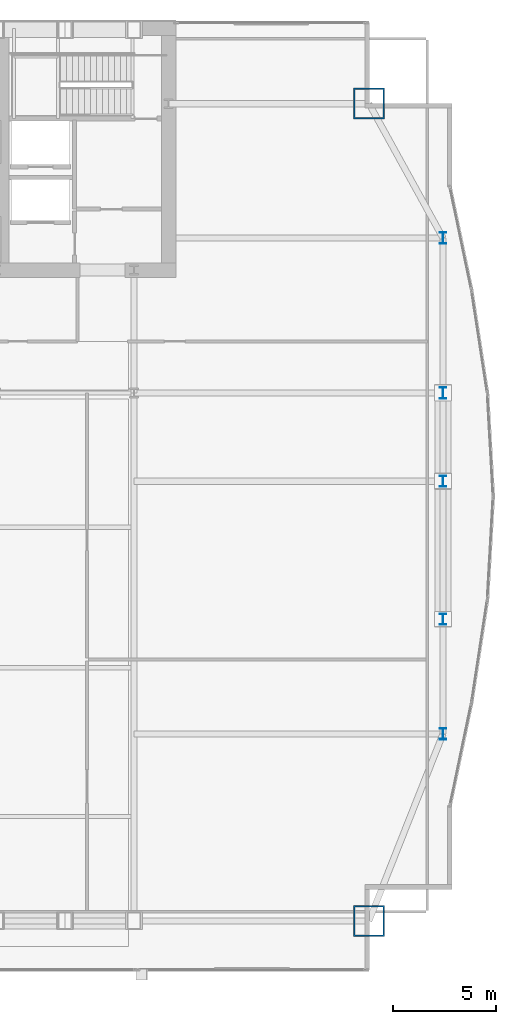
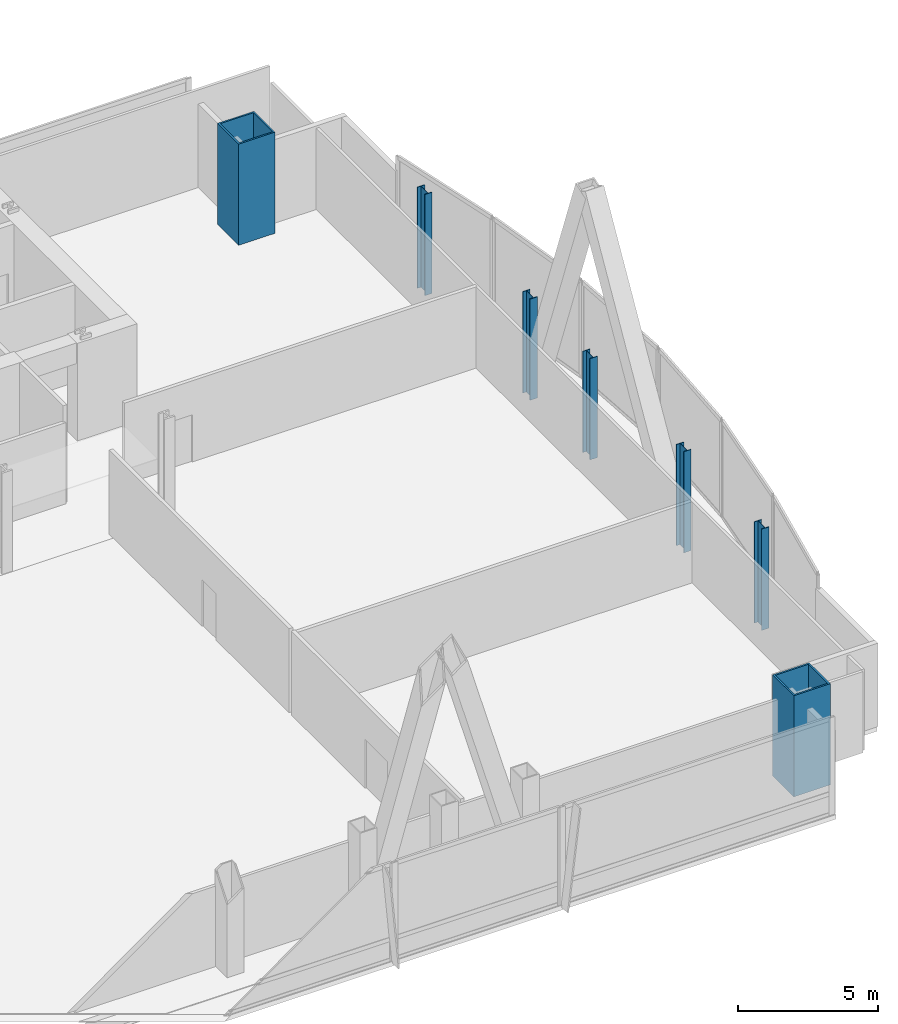
# One storey, part 4 of 32: 7 columns.
"""IFC4 building model written with IfcOpenShell, lengths in metres."""

from ifc_helpers import new_model, si_unit, direction, frame, origin, origin_2d, place, context, subcontext, project, spatial, hollow_rectangle, i_section, extrude, material, material_profile, profile_set, type_object, element, save


model = new_model("IFC4")

# Units and contexts
model_context = context("Model", 3, precision=1e-05, world=origin(), true_north=direction((0.0, 1.0)))
body_context = subcontext(model_context, "Body", "Model", "MODEL_VIEW")
ifc_project = project(units=[si_unit("LENGTHUNIT", "METRE"), si_unit("AREAUNIT", "SQUARE_METRE"), si_unit("VOLUMEUNIT", "CUBIC_METRE"), si_unit("PLANEANGLEUNIT", "RADIAN"), si_unit("MASSUNIT", "GRAM", prefix="KILO")], contexts=[model_context])

# Site, building, storey
site_placement = place(None, origin())
site = spatial("IfcSite", under=ifc_project, at=site_placement, CompositionType="ELEMENT")
building_placement = place(site_placement, origin())
building = spatial("IfcBuilding", under=site, at=building_placement, Name="Khoronbel Lancet Exchange", CompositionType="ELEMENT")
storey_placement = place(building_placement, frame((0.0, 0.0, 106.60009765625)))
storey = spatial("IfcBuildingStorey", under=building, at=storey_placement, Name="L25", CompositionType="ELEMENT", Elevation=106.60009765625)

# Columns
ifc_material_1 = material(Name="Steel S355", Category="steel")
ifc_material_profile_1 = material_profile(ifc_material_1, i_section(OverallWidth=0.300048828125, OverallDepth=0.550048828125, WebThickness=0.014892578125, FlangeThickness=0.029052734375, at=origin_2d()), Name="HEB 550")
ifc_profile_set_1 = profile_set([ifc_material_profile_1], Name="Steel S355")
column_type_1 = type_object("IfcColumnType", Name="COL-LC1", PredefinedType="COLUMN", material=ifc_profile_set_1)
for number, where, z_axis, x_axis, name in (
    (1, (69.6298828125, 19.199951171875, 0.0), (0.0, 0.0, 1.0), (1.0, 0.0, 0.0), "Structural column EC-1 L25"),
    (2, (69.6298828125, 24.75, 0.0), (0.0, 0.0, 1.0), (1.0, 0.0, 0.0), "Structural column EC-2 L25"),
    (3, (69.6298828125, 31.425048828125, 0.0), (0.0, 0.0, 1.0), (1.0, 0.0, 0.0), "Structural column EC-M L25"),
    (4, (69.6298828125, 35.699951171875, 0.0), (0.0, 0.0, 1.0), (1.0, 0.0, 0.0), "Structural column EC-3 L25"),
    (5, (69.6298828125, 43.199951171875, 0.0), (0.0, 0.0, 1.0), (1.0, 0.0, 0.0), "Structural column EC-4 L25"),
):
    element("IfcColumn", number, at=place(storey_placement, frame(where, z_axis=z_axis, x_axis=x_axis)), inside=storey, type_object=column_type_1, Name=name, PredefinedType="COLUMN", context=body_context, shape_type="SweptSolid", body=[
        extrude(i_section(OverallWidth=0.300048828125, OverallDepth=0.550048828125, WebThickness=0.014892578125, FlangeThickness=0.029052734375, at=origin_2d()), origin(), (0.0, 0.0, 1.0), 4.39990234375),
    ])
ifc_material_2 = material(Name="Steel S460", Category="steel")
ifc_material_profile_2 = material_profile(ifc_material_2, hollow_rectangle(XDim=1.5, YDim=1.5, WallThickness=0.070068359375, at=origin_2d()), Name="BOX 1500x1500x70")
ifc_profile_set_2 = profile_set([ifc_material_profile_2], Name="Steel S460")
column_type_2 = type_object("IfcColumnType", Name="COL-MC3", PredefinedType="COLUMN", material=ifc_profile_set_2)
for number, where, z_axis, x_axis, name in (
    (6, (66.050048828125, 10.14990234375, 0.0), (0.0, 0.0, 1.0), (1.0, 0.0, 0.0), "Structural column MC-SE L25"),
    (7, (66.050048828125, 49.699951171875, 0.0), (0.0, 0.0, 1.0), (1.0, 0.0, 0.0), "Structural column MC-NE L25"),
):
    element("IfcColumn", number, at=place(storey_placement, frame(where, z_axis=z_axis, x_axis=x_axis)), inside=storey, type_object=column_type_2, Name=name, PredefinedType="COLUMN", context=body_context, shape_type="SweptSolid", body=[
        extrude(hollow_rectangle(XDim=1.5, YDim=1.5, WallThickness=0.070068359375, at=origin_2d()), origin(), (0.0, 0.0, 1.0), 4.39990234375),
    ])

save(model, "model.ifc")
